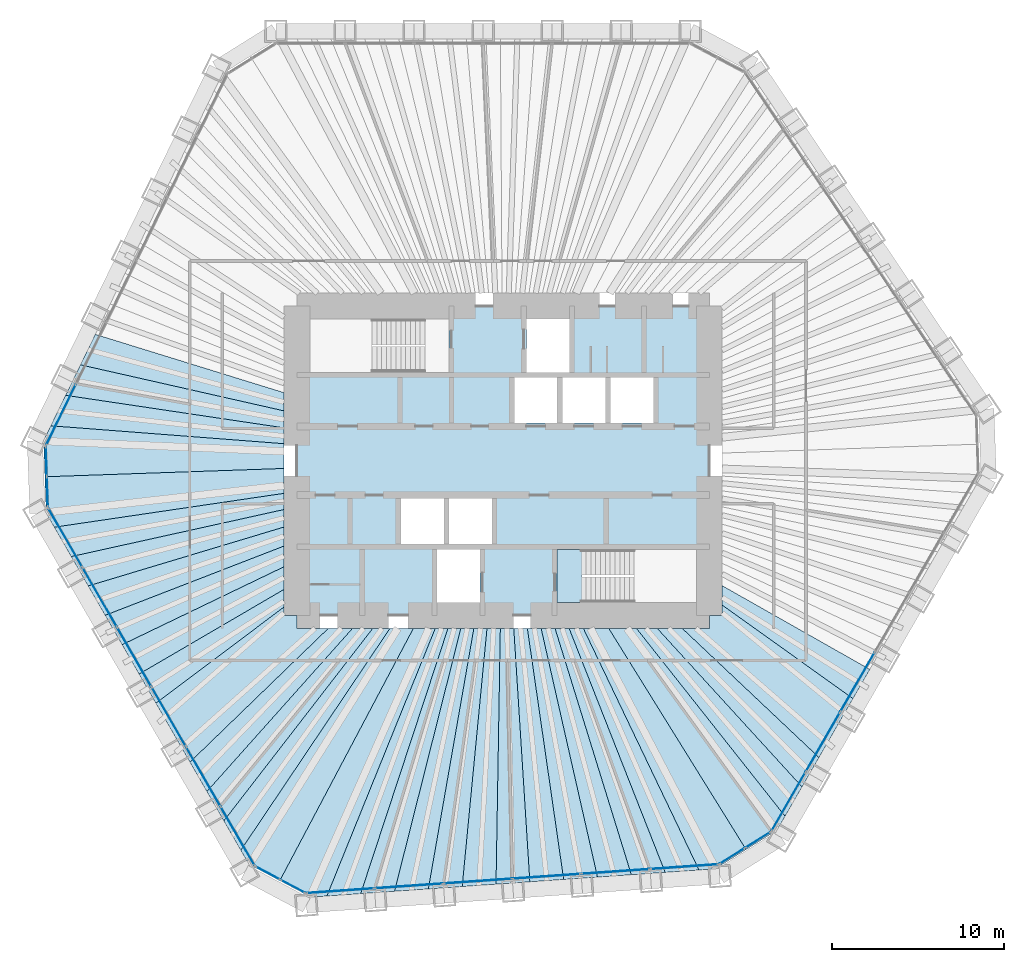
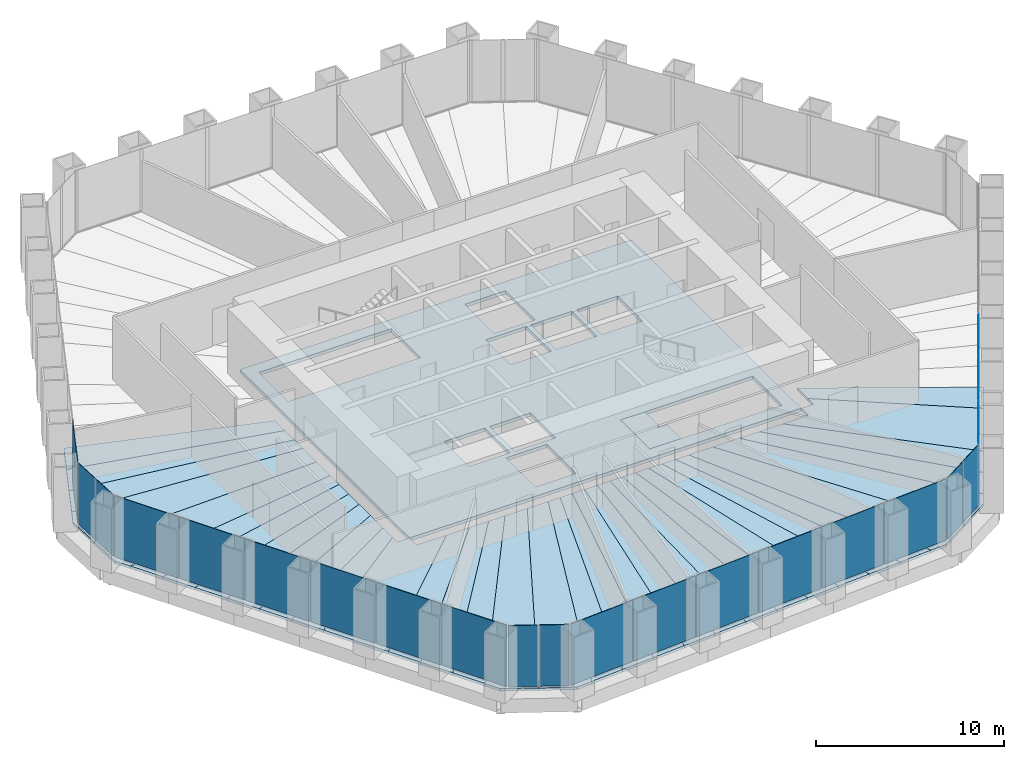
# One storey, part 8 of 13: 36 slabs, 22 plates, 8 elements without a shape of their own.
"""IFC4 building model written with IfcOpenShell, lengths in metres."""

from ifc_helpers import new_model, si_unit, direction, frame, origin, origin_2d, place, context, subcontext, project, spatial, polyline, rectangle, outline, extrude, material, layer, layer_set, type_object, element, aggregate, save


model = new_model("IFC4")

# Units and contexts
model_context = context("Model", 3, precision=1e-05, world=origin(), true_north=direction((0.0, 1.0)))
body_context = subcontext(model_context, "Body", "Model", "MODEL_VIEW")
ifc_project = project(units=[si_unit("LENGTHUNIT", "METRE"), si_unit("AREAUNIT", "SQUARE_METRE"), si_unit("VOLUMEUNIT", "CUBIC_METRE"), si_unit("PLANEANGLEUNIT", "RADIAN"), si_unit("MASSUNIT", "GRAM", prefix="KILO")], contexts=[model_context])

# Site, building, storey
site_placement = place(None, origin())
site = spatial("IfcSite", under=ifc_project, at=site_placement, CompositionType="ELEMENT")
building_placement = place(site_placement, origin())
building = spatial("IfcBuilding", under=site, at=building_placement, Name="Qingtian Harvest Tower", CompositionType="ELEMENT")
storey_placement = place(building_placement, frame((0.0, 0.0, 111.39990234375)))
storey = spatial("IfcBuildingStorey", under=building, at=storey_placement, Name="L22", CompositionType="ELEMENT", Elevation=111.39990234375)

# Slabs
ifc_material_1 = material(Name="Concrete fc' 35 MPa", Category="concrete")
ifc_layer_1 = layer(ifc_material_1, 0.169921875)
ifc_layer_set_1 = layer_set([ifc_layer_1], Name="Composite floor slab FS17 170")
slab_type_1 = type_object("IfcSlabType", Name="Composite floor slab FS17 170", PredefinedType="FLOOR", material=ifc_layer_set_1)
slab_1_placement = place(storey_placement, frame((0.0, 0.0, -0.169921875)))
element("IfcSlab", 1, at=slab_1_placement, inside=storey, type_object=slab_type_1, Name="Floor slab L22 panel D01", PredefinedType="FLOOR", context=body_context, shape_type="SweptSolid", body=[
    extrude(outline(polyline([(-26.667236328125, -0.931396484375), (-12.75, -0.447998046875), (-12.75, -1.89599609375), (-26.12109375, -3.866943359375), (-26.59326171875, -3.049072265625), (-26.667236328125, -0.931396484375)])), origin(), (0.0, 0.0, 1.0), 0.169921875),
])
slab_2_placement = place(storey_placement, frame((0.0, 0.0, -0.169921875)))
element("IfcSlab", 2, at=slab_2_placement, inside=storey, type_object=slab_type_1, Name="Floor slab L22 panel D02", PredefinedType="FLOOR", context=body_context, shape_type="SweptSolid", body=[
    extrude(outline(polyline([(-12.75, -2.838134765625), (-25.13427734375, -5.576416015625), (-26.12109375, -3.866943359375), (-12.75, -1.89599609375), (-12.75, -2.838134765625)])), origin(), (0.0, 0.0, 1.0), 0.169921875),
])
slab_3_placement = place(storey_placement, frame((0.0, 0.0, -0.169921875)))
element("IfcSlab", 3, at=slab_3_placement, inside=storey, type_object=slab_type_1, Name="Floor slab L22 panel D03", PredefinedType="FLOOR", context=body_context, shape_type="SweptSolid", body=[
    extrude(outline(polyline([(-12.75, -3.857666015625), (-24.147216796875, -7.28564453125), (-25.13427734375, -5.576416015625), (-12.75, -2.838134765625), (-12.75, -3.857666015625)])), origin(), (0.0, 0.0, 1.0), 0.169921875),
])
slab_4_placement = place(storey_placement, frame((0.0, 0.0, -0.169921875)))
element("IfcSlab", 4, at=slab_4_placement, inside=storey, type_object=slab_type_1, Name="Floor slab L22 panel D04", PredefinedType="FLOOR", context=body_context, shape_type="SweptSolid", body=[
    extrude(outline(polyline([(-12.75, -4.9638671875), (-23.160400390625, -8.9951171875), (-24.147216796875, -7.28564453125), (-12.75, -3.857666015625), (-12.75, -4.9638671875)])), origin(), (0.0, 0.0, 1.0), 0.169921875),
])
slab_5_placement = place(storey_placement, frame((0.0, 0.0, -0.169921875)))
element("IfcSlab", 5, at=slab_5_placement, inside=storey, type_object=slab_type_1, Name="Floor slab L22 panel D05", PredefinedType="FLOOR", context=body_context, shape_type="SweptSolid", body=[
    extrude(outline(polyline([(-12.75, -6.1689453125), (-22.17333984375, -10.70458984375), (-23.160400390625, -8.9951171875), (-12.75, -4.9638671875), (-12.75, -6.1689453125)])), origin(), (0.0, 0.0, 1.0), 0.169921875),
])
slab_6_placement = place(storey_placement, frame((0.0, 0.0, -0.169921875)))
element("IfcSlab", 6, at=slab_6_placement, inside=storey, type_object=slab_type_1, Name="Floor slab L22 panel D06", PredefinedType="FLOOR", context=body_context, shape_type="SweptSolid", body=[
    extrude(outline(polyline([(-12.75, -7.486328125), (-21.1865234375, -12.413818359375), (-22.17333984375, -10.70458984375), (-12.75, -6.1689453125), (-12.75, -7.486328125)])), origin(), (0.0, 0.0, 1.0), 0.169921875),
])
slab_7_placement = place(storey_placement, frame((0.0, 0.0, -0.169921875)))
element("IfcSlab", 7, at=slab_7_placement, inside=storey, type_object=slab_type_1, Name="Floor slab L22 panel D07", PredefinedType="FLOOR", context=body_context, shape_type="SweptSolid", body=[
    extrude(outline(polyline([(-12.75, -8.512451171875), (-20.20751953125, -14.109619140625), (-21.1865234375, -12.413818359375), (-12.75, -7.486328125), (-12.75, -8.512451171875)])), origin(), (0.0, 0.0, 1.0), 0.169921875),
])
slab_8_placement = place(storey_placement, frame((0.0, 0.0, -0.169921875)))
element("IfcSlab", 8, at=slab_8_placement, inside=storey, type_object=slab_type_1, Name="Floor slab L22 panel D09", PredefinedType="FLOOR", context=body_context, shape_type="SweptSolid", body=[
    extrude(outline(polyline([(-18.2265625, -17.54052734375), (-20.20751953125, -14.109619140625), (-12.75, -8.512451171875), (-12.75, -9.0), (-12.0, -9.0), (-12.0, -9.75), (-10.168212890625, -9.75), (-18.2265625, -17.54052734375)])), origin(), (0.0, 0.0, 1.0), 0.169921875),
])
slab_9_placement = place(storey_placement, frame((0.0, 0.0, -0.169921875)))
element("IfcSlab", 9, at=slab_9_placement, inside=storey, type_object=slab_type_1, Name="Floor slab L22 panel D10", PredefinedType="FLOOR", context=body_context, shape_type="SweptSolid", body=[
    extrude(outline(polyline([(-8.759521484375, -9.75), (-17.23974609375, -19.25), (-18.2265625, -17.54052734375), (-10.168212890625, -9.75), (-8.759521484375, -9.75)])), origin(), (0.0, 0.0, 1.0), 0.169921875),
])
slab_10_placement = place(storey_placement, frame((0.0, 0.0, -0.169921875)))
element("IfcSlab", 10, at=slab_10_placement, inside=storey, type_object=slab_type_1, Name="Floor slab L22 panel D11", PredefinedType="FLOOR", context=body_context, shape_type="SweptSolid", body=[
    extrude(outline(polyline([(-7.58203125, -9.75), (-16.252685546875, -20.95947265625), (-17.23974609375, -19.25), (-8.759521484375, -9.75), (-7.58203125, -9.75)])), origin(), (0.0, 0.0, 1.0), 0.169921875),
])
slab_11_placement = place(storey_placement, frame((0.0, 0.0, -0.169921875)))
element("IfcSlab", 11, at=slab_11_placement, inside=storey, type_object=slab_type_1, Name="Floor slab L22 panel D12", PredefinedType="FLOOR", context=body_context, shape_type="SweptSolid", body=[
    extrude(outline(polyline([(-6.5830078125, -9.75), (-15.265869140625, -22.6689453125), (-16.252685546875, -20.95947265625), (-7.58203125, -9.75), (-6.5830078125, -9.75)])), origin(), (0.0, 0.0, 1.0), 0.169921875),
])
slab_12_placement = place(storey_placement, frame((0.0, 0.0, -0.169921875)))
element("IfcSlab", 12, at=slab_12_placement, inside=storey, type_object=slab_type_1, Name="Floor slab L22 panel D13", PredefinedType="FLOOR", context=body_context, shape_type="SweptSolid", body=[
    extrude(outline(polyline([(-6.5830078125, -9.75), (-5.21875, -9.75), (-12.9970703125, -24.442138671875), (-14.79345703125, -23.487060546875), (-15.265869140625, -22.6689453125), (-6.5830078125, -9.75)])), origin(), (0.0, 0.0, 1.0), 0.169921875),
])
slab_13_placement = place(storey_placement, frame((0.0, 0.0, -0.169921875)))
element("IfcSlab", 13, at=slab_13_placement, inside=storey, type_object=slab_type_1, Name="Floor slab L22 panel D14", PredefinedType="FLOOR", context=body_context, shape_type="SweptSolid", body=[
    extrude(outline(polyline([(-5.21875, -9.75), (-3.947021484375, -9.75), (-10.25732421875, -25.332275390625), (-11.19921875, -25.398193359375), (-12.9970703125, -24.442138671875), (-5.21875, -9.75)])), origin(), (0.0, 0.0, 1.0), 0.169921875),
])
slab_14_placement = place(storey_placement, frame((0.0, 0.0, -0.169921875)))
element("IfcSlab", 14, at=slab_14_placement, inside=storey, type_object=slab_type_1, Name="Floor slab L22 panel D15", PredefinedType="FLOOR", context=body_context, shape_type="SweptSolid", body=[
    extrude(outline(polyline([(-3.20654296875, -9.75), (-8.288330078125, -25.194580078125), (-10.25732421875, -25.332275390625), (-3.947021484375, -9.75), (-3.20654296875, -9.75)])), origin(), (0.0, 0.0, 1.0), 0.169921875),
])
slab_15_placement = place(storey_placement, frame((0.0, 0.0, -0.169921875)))
element("IfcSlab", 15, at=slab_15_placement, inside=storey, type_object=slab_type_1, Name="Floor slab L22 panel D16", PredefinedType="FLOOR", context=body_context, shape_type="SweptSolid", body=[
    extrude(outline(polyline([(-2.4580078125, -9.75), (-6.3193359375, -25.056884765625), (-8.288330078125, -25.194580078125), (-3.20654296875, -9.75), (-2.4580078125, -9.75)])), origin(), (0.0, 0.0, 1.0), 0.169921875),
])
slab_16_placement = place(storey_placement, frame((0.0, 0.0, -0.169921875)))
element("IfcSlab", 16, at=slab_16_placement, inside=storey, type_object=slab_type_1, Name="Floor slab L22 panel D17", PredefinedType="FLOOR", context=body_context, shape_type="SweptSolid", body=[
    extrude(outline(polyline([(-1.701171875, -9.75), (-4.3505859375, -24.919189453125), (-6.3193359375, -25.056884765625), (-2.4580078125, -9.75), (-1.701171875, -9.75)])), origin(), (0.0, 0.0, 1.0), 0.169921875),
])
slab_17_placement = place(storey_placement, frame((0.0, 0.0, -0.169921875)))
element("IfcSlab", 17, at=slab_17_placement, inside=storey, type_object=slab_type_1, Name="Floor slab L22 panel D18", PredefinedType="FLOOR", context=body_context, shape_type="SweptSolid", body=[
    extrude(outline(polyline([(-0.93603515625, -9.75), (-2.381591796875, -24.781494140625), (-4.3505859375, -24.919189453125), (-1.701171875, -9.75), (-0.93603515625, -9.75)])), origin(), (0.0, 0.0, 1.0), 0.169921875),
])
slab_18_placement = place(storey_placement, frame((0.0, 0.0, -0.169921875)))
element("IfcSlab", 18, at=slab_18_placement, inside=storey, type_object=slab_type_1, Name="Floor slab L22 panel D19", PredefinedType="FLOOR", context=body_context, shape_type="SweptSolid", body=[
    extrude(outline(polyline([(-0.162109375, -9.75), (-0.41259765625, -24.643798828125), (-2.381591796875, -24.781494140625), (-0.93603515625, -9.75), (-0.162109375, -9.75)])), origin(), (0.0, 0.0, 1.0), 0.169921875),
])
slab_19_placement = place(storey_placement, frame((0.0, 0.0, -0.169921875)))
element("IfcSlab", 19, at=slab_19_placement, inside=storey, type_object=slab_type_1, Name="Floor slab L22 panel D20", PredefinedType="FLOOR", context=body_context, shape_type="SweptSolid", body=[
    extrude(outline(polyline([(0.620361328125, -9.75), (1.556396484375, -24.506103515625), (-0.41259765625, -24.643798828125), (-0.162109375, -9.75), (0.620361328125, -9.75)])), origin(), (0.0, 0.0, 1.0), 0.169921875),
])
slab_20_placement = place(storey_placement, frame((0.0, 0.0, -0.169921875)))
element("IfcSlab", 20, at=slab_20_placement, inside=storey, type_object=slab_type_1, Name="Floor slab L22 panel D21", PredefinedType="FLOOR", context=body_context, shape_type="SweptSolid", body=[
    extrude(outline(polyline([(1.41162109375, -9.75), (3.525390625, -24.368408203125), (1.556396484375, -24.506103515625), (0.620361328125, -9.75), (1.41162109375, -9.75)])), origin(), (0.0, 0.0, 1.0), 0.169921875),
])
slab_21_placement = place(storey_placement, frame((0.0, 0.0, -0.169921875)))
element("IfcSlab", 21, at=slab_21_placement, inside=storey, type_object=slab_type_1, Name="Floor slab L22 panel D22", PredefinedType="FLOOR", context=body_context, shape_type="SweptSolid", body=[
    extrude(outline(polyline([(2.2119140625, -9.75), (5.494384765625, -24.230712890625), (3.525390625, -24.368408203125), (1.41162109375, -9.75), (2.2119140625, -9.75)])), origin(), (0.0, 0.0, 1.0), 0.169921875),
])
slab_22_placement = place(storey_placement, frame((0.0, 0.0, -0.169921875)))
element("IfcSlab", 22, at=slab_22_placement, inside=storey, type_object=slab_type_1, Name="Floor slab L22 panel D23", PredefinedType="FLOOR", context=body_context, shape_type="SweptSolid", body=[
    extrude(outline(polyline([(3.021484375, -9.75), (7.46337890625, -24.093017578125), (5.494384765625, -24.230712890625), (2.2119140625, -9.75), (3.021484375, -9.75)])), origin(), (0.0, 0.0, 1.0), 0.169921875),
])
slab_23_placement = place(storey_placement, frame((0.0, 0.0, -0.169921875)))
element("IfcSlab", 23, at=slab_23_placement, inside=storey, type_object=slab_type_1, Name="Floor slab L22 panel D24", PredefinedType="FLOOR", context=body_context, shape_type="SweptSolid", body=[
    extrude(outline(polyline([(3.840087890625, -9.75), (9.43212890625, -23.955322265625), (7.46337890625, -24.093017578125), (3.021484375, -9.75), (3.840087890625, -9.75)])), origin(), (0.0, 0.0, 1.0), 0.169921875),
])
slab_24_placement = place(storey_placement, frame((0.0, 0.0, -0.169921875)))
element("IfcSlab", 24, at=slab_24_placement, inside=storey, type_object=slab_type_1, Name="Floor slab L22 panel D25", PredefinedType="FLOOR", context=body_context, shape_type="SweptSolid", body=[
    extrude(outline(polyline([(4.66845703125, -9.75), (11.401123046875, -23.817626953125), (9.43212890625, -23.955322265625), (3.840087890625, -9.75), (4.66845703125, -9.75)])), origin(), (0.0, 0.0, 1.0), 0.169921875),
])
slab_25_placement = place(storey_placement, frame((0.0, 0.0, -0.169921875)))
element("IfcSlab", 25, at=slab_25_placement, inside=storey, type_object=slab_type_1, Name="Floor slab L22 panel D26", PredefinedType="FLOOR", context=body_context, shape_type="SweptSolid", body=[
    extrude(outline(polyline([(4.66845703125, -9.75), (6.14404296875, -9.75), (14.141357421875, -22.628173828125), (12.343017578125, -23.751953125), (11.401123046875, -23.817626953125), (4.66845703125, -9.75)])), origin(), (0.0, 0.0, 1.0), 0.169921875),
])
slab_26_placement = place(storey_placement, frame((0.0, 0.0, -0.169921875)))
element("IfcSlab", 26, at=slab_26_placement, inside=storey, type_object=slab_type_1, Name="Floor slab L22 panel D27", PredefinedType="FLOOR", context=body_context, shape_type="SweptSolid", body=[
    extrude(outline(polyline([(6.14404296875, -9.75), (7.756103515625, -9.75), (16.40966796875, -20.687744140625), (15.937255859375, -21.505859375), (14.141357421875, -22.628173828125), (6.14404296875, -9.75)])), origin(), (0.0, 0.0, 1.0), 0.169921875),
])
slab_27_placement = place(storey_placement, frame((0.0, 0.0, -0.169921875)))
element("IfcSlab", 27, at=slab_27_placement, inside=storey, type_object=slab_type_1, Name="Floor slab L22 panel D28", PredefinedType="FLOOR", context=body_context, shape_type="SweptSolid", body=[
    extrude(outline(polyline([(8.966552734375, -9.75), (17.396484375, -18.978271484375), (16.40966796875, -20.687744140625), (7.756103515625, -9.75), (8.966552734375, -9.75)])), origin(), (0.0, 0.0, 1.0), 0.169921875),
])
slab_28_placement = place(storey_placement, frame((0.0, 0.0, -0.169921875)))
element("IfcSlab", 28, at=slab_28_placement, inside=storey, type_object=slab_type_1, Name="Floor slab L22 panel D29", PredefinedType="FLOOR", context=body_context, shape_type="SweptSolid", body=[
    extrude(outline(polyline([(10.41796875, -9.75), (18.383544921875, -17.2685546875), (17.396484375, -18.978271484375), (8.966552734375, -9.75), (10.41796875, -9.75)])), origin(), (0.0, 0.0, 1.0), 0.169921875),
])
slab_29_placement = place(storey_placement, frame((0.0, 0.0, -0.169921875)))
element("IfcSlab", 29, at=slab_29_placement, inside=storey, type_object=slab_type_1, Name="Floor slab L22 panel D31", PredefinedType="FLOOR", context=body_context, shape_type="SweptSolid", body=[
    extrude(outline(polyline([(12.75, -8.398681640625), (20.362060546875, -13.841796875), (18.383544921875, -17.2685546875), (10.41796875, -9.75), (12.0, -9.75), (12.0, -9.0), (12.75, -9.0), (12.75, -8.398681640625)])), origin(), (0.0, 0.0, 1.0), 0.169921875),
])
slab_30_placement = place(storey_placement, frame((0.0, 0.0, -0.169921875)))
element("IfcSlab", 30, at=slab_30_placement, inside=storey, type_object=slab_type_1, Name="Floor slab L22 panel D32", PredefinedType="FLOOR", context=body_context, shape_type="SweptSolid", body=[
    extrude(outline(polyline([(12.75, -7.268798828125), (21.343505859375, -12.14208984375), (20.362060546875, -13.841796875), (12.75, -8.398681640625), (12.75, -7.268798828125)])), origin(), (0.0, 0.0, 1.0), 0.169921875),
])
slab_31_placement = place(storey_placement, frame((0.0, 0.0, -0.169921875)))
element("IfcSlab", 31, at=slab_31_placement, inside=storey, type_object=slab_type_1, Name="Floor slab L22 panel D75", PredefinedType="FLOOR", context=body_context, shape_type="SweptSolid", body=[
    extrude(outline(polyline([(-12.75, 2.903076171875), (-24.5966796875, 5.58349609375), (-23.7314453125, 7.357421875), (-12.75, 3.962646484375), (-12.75, 2.903076171875)])), origin(), (0.0, 0.0, 1.0), 0.169921875),
])
slab_32_placement = place(storey_placement, frame((0.0, 0.0, -0.169921875)))
element("IfcSlab", 32, at=slab_32_placement, inside=storey, type_object=slab_type_1, Name="Floor slab L22 panel D76", PredefinedType="FLOOR", context=body_context, shape_type="SweptSolid", body=[
    extrude(outline(polyline([(-12.75, 1.91552734375), (-25.4619140625, 3.809326171875), (-24.5966796875, 5.58349609375), (-12.75, 2.903076171875), (-12.75, 1.91552734375)])), origin(), (0.0, 0.0, 1.0), 0.169921875),
])
slab_33_placement = place(storey_placement, frame((0.0, 0.0, -0.169921875)))
element("IfcSlab", 33, at=slab_33_placement, inside=storey, type_object=slab_type_1, Name="Floor slab L22 panel D77", PredefinedType="FLOOR", context=body_context, shape_type="SweptSolid", body=[
    extrude(outline(polyline([(-12.75, 0.992919921875), (-26.3271484375, 2.035400390625), (-25.4619140625, 3.809326171875), (-12.75, 1.91552734375), (-12.75, 0.992919921875)])), origin(), (0.0, 0.0, 1.0), 0.169921875),
])
slab_34_placement = place(storey_placement, frame((0.0, 0.0, -0.169921875)))
element("IfcSlab", 34, at=slab_34_placement, inside=storey, type_object=slab_type_1, Name="Floor slab L22 panel D78", PredefinedType="FLOOR", context=body_context, shape_type="SweptSolid", body=[
    extrude(outline(polyline([(-12.75, 0.992919921875), (-12.75, -0.447998046875), (-26.667236328125, -0.931396484375), (-26.7412109375, 1.1865234375), (-26.3271484375, 2.035400390625), (-12.75, 0.992919921875)])), origin(), (0.0, 0.0, 1.0), 0.169921875),
])
ifc_material_2 = material(Name="Concrete fc' 35 MPa", Category="concrete")
ifc_layer_2 = layer(ifc_material_2, 0.219970703125)
ifc_layer_set_2 = layer_set([ifc_layer_2], Name="Core floor slab CS22 220")
slab_type_2 = type_object("IfcSlabType", Name="Core floor slab CS22 220", PredefinedType="FLOOR", material=ifc_layer_set_2)
slab_35_placement = place(storey_placement, frame((0.0, 0.0, -0.219970703125)))
element("IfcSlab", 35, at=slab_35_placement, inside=storey, type_object=slab_type_2, Name="Core floor slab L22", PredefinedType="FLOOR", context=body_context, shape_type="SweptSolid", body=[
    extrude(outline(polyline([(-12.0, -9.0), (12.0, -9.0), (12.0, 9.0), (-12.0, 9.0), (-12.0, -9.0)]), holes=[polyline([(-11.25, 5.14990234375), (-3.14990234375, 5.14990234375), (-3.14990234375, 8.25), (-11.25, 8.25), (-11.25, 5.14990234375)]), polyline([(3.14990234375, -8.25), (11.25, -8.25), (11.25, -5.14990234375), (3.14990234375, -5.14990234375), (3.14990234375, -8.25)]), polyline([(1.35009765625, 5.14990234375), (3.85009765625, 5.14990234375), (3.85009765625, 8.25), (1.35009765625, 8.25), (1.35009765625, 5.14990234375)]), polyline([(-3.85009765625, -8.25), (-1.35009765625, -8.25), (-1.35009765625, -5.14990234375), (-3.85009765625, -5.14990234375), (-3.85009765625, -8.25)]), polyline([(0.64990234375, 2.199951171875), (3.14990234375, 2.199951171875), (3.14990234375, 4.85009765625), (0.64990234375, 4.85009765625), (0.64990234375, 2.199951171875)]), polyline([(3.449951171875, 2.199951171875), (5.949951171875, 2.199951171875), (5.949951171875, 4.85009765625), (3.449951171875, 4.85009765625), (3.449951171875, 2.199951171875)]), polyline([(6.25, 2.199951171875), (8.75, 2.199951171875), (8.75, 4.85009765625), (6.25, 4.85009765625), (6.25, 2.199951171875)]), polyline([(-5.949951171875, -4.85009765625), (-3.449951171875, -4.85009765625), (-3.449951171875, -2.199951171875), (-5.949951171875, -2.199951171875), (-5.949951171875, -4.85009765625)]), polyline([(-3.14990234375, -4.85009765625), (-0.64990234375, -4.85009765625), (-0.64990234375, -2.199951171875), (-3.14990234375, -2.199951171875), (-3.14990234375, -4.85009765625)])]), origin(), (0.0, 0.0, 1.0), 0.219970703125),
])

# Curtain wall, plates
ifc_material_3 = material(Name="Bronze-anodised aluminium curtain wall", Category="aluminium")
curtain_wall_type = type_object("IfcCurtainWallType", Name="Curtain wall CW4 office", PredefinedType="USERDEFINED", material=ifc_material_3)
curtain_wall_1_placement = place(storey_placement, origin())
curtain_wall_1 = element("IfcCurtainWall", 36, at=curtain_wall_1_placement, inside=storey, type_object=curtain_wall_type, Name="Curtain wall CW4 L22 SE0-5", ObjectType="RECESSED CURTAIN WALL", PredefinedType="USERDEFINED")
ifc_material_4 = material(Name="Bronze-tinted laminated insulating glass", Category="glass")
ifc_layer_3 = layer(ifc_material_4, 0.030029296875)
ifc_layer_set_3 = layer_set([ifc_layer_3], Name="Glazed panel CWP tinted IGU")
plate_type = type_object("IfcPlateType", Name="Glazed panel CWP tinted IGU", PredefinedType="CURTAIN_PANEL", material=ifc_layer_set_3)
plate_1_placement = place(storey_placement, frame((20.621826171875, -12.8818359375, 0.06494140625), z_axis=(0.0, 0.0, 1.0), x_axis=(-0.5, -0.866025403784, 0.0)))
plate_1 = element("IfcPlate", 37, at=plate_1_placement, type_object=plate_type, Name="CW4 panel 4.1", PredefinedType="CURTAIN_PANEL", context=body_context, shape_type="SweptSolid", body=[
    extrude(rectangle(XDim=3.9541015625, YDim=0.030029296875, at=origin_2d()), origin(), (0.0, 0.0, 1.0), 3.965087890625),
])
plate_2_placement = place(storey_placement, frame((18.6123046875, -16.362548828125, 0.06494140625), z_axis=(0.0, 0.0, 1.0), x_axis=(-0.5, -0.866025403784, 0.0)))
plate_2 = element("IfcPlate", 38, at=plate_2_placement, type_object=plate_type, Name="CW4 panel 5.1", PredefinedType="CURTAIN_PANEL", context=body_context, shape_type="SweptSolid", body=[
    extrude(rectangle(XDim=3.9541015625, YDim=0.030029296875, at=origin_2d()), origin(), (0.0, 0.0, 1.0), 3.965087890625),
])
plate_3_placement = place(storey_placement, frame((16.61083984375, -19.8291015625, 0.06494140625), z_axis=(0.0, 0.0, 1.0), x_axis=(-0.5, -0.866025403784, 0.0)))
plate_3 = element("IfcPlate", 39, at=plate_3_placement, type_object=plate_type, Name="CW4 panel 6.1", PredefinedType="CURTAIN_PANEL", context=body_context, shape_type="SweptSolid", body=[
    extrude(rectangle(XDim=3.921630859375, YDim=0.030029296875, at=origin_2d()), origin(), (0.0, 0.0, 1.0), 3.965087890625),
])
aggregate(curtain_wall_1, [plate_1, plate_2, plate_3])

curtain_wall_2_placement = place(storey_placement, origin())
curtain_wall_2 = element("IfcCurtainWall", 40, at=curtain_wall_2_placement, inside=storey, type_object=curtain_wall_type, Name="Curtain wall CW4 L22 SEC", ObjectType="RECESSED CURTAIN WALL", PredefinedType="USERDEFINED")
plate_4_placement = place(storey_placement, frame((14.8251953125, -22.06640625, 0.06494140625), z_axis=(0.0, 0.0, 1.0), x_axis=(-0.848048096156, -0.529919264233, 0.0)))
plate_4 = element("IfcPlate", 41, at=plate_4_placement, type_object=plate_type, Name="CW4 panel 1.1", PredefinedType="CURTAIN_PANEL", context=body_context, shape_type="SweptSolid", body=[
    extrude(rectangle(XDim=1.69287109375, YDim=0.030029296875, at=origin_2d()), origin(), (0.0, 0.0, 1.0), 3.965087890625),
])
plate_5_placement = place(storey_placement, frame((13.334228515625, -22.998046875, 0.06494140625), z_axis=(0.0, 0.0, 1.0), x_axis=(-0.848048096156, -0.529919264233, 0.0)))
plate_5 = element("IfcPlate", 42, at=plate_5_placement, type_object=plate_type, Name="CW4 panel 2.1", PredefinedType="CURTAIN_PANEL", context=body_context, shape_type="SweptSolid", body=[
    extrude(rectangle(XDim=1.69287109375, YDim=0.030029296875, at=origin_2d()), origin(), (0.0, 0.0, 1.0), 3.965087890625),
])
aggregate(curtain_wall_2, [plate_4, plate_5])

curtain_wall_3_placement = place(storey_placement, origin())
curtain_wall_3 = element("IfcCurtainWall", 43, at=curtain_wall_3_placement, inside=storey, type_object=curtain_wall_type, Name="Curtain wall CW4 L22 S0-5", ObjectType="RECESSED CURTAIN WALL", PredefinedType="USERDEFINED")
plate_6_placement = place(storey_placement, frame((10.54052734375, -23.622314453125, 0.06494140625), z_axis=(0.0, 0.0, 1.0), x_axis=(-0.99756405026, -0.069756473744, 0.0)))
plate_6 = element("IfcPlate", 44, at=plate_6_placement, type_object=plate_type, Name="CW4 panel 1.1", PredefinedType="CURTAIN_PANEL", context=body_context, shape_type="SweptSolid", body=[
    extrude(rectangle(XDim=3.921630859375, YDim=0.030029296875, at=origin_2d()), origin(), (0.0, 0.0, 1.0), 3.965087890625),
])
plate_7_placement = place(storey_placement, frame((6.54736328125, -23.901611328125, 0.06494140625), z_axis=(0.0, 0.0, 1.0), x_axis=(-0.99756405026, -0.069756473744, 0.0)))
plate_7 = element("IfcPlate", 45, at=plate_7_placement, type_object=plate_type, Name="CW4 panel 2.1", PredefinedType="CURTAIN_PANEL", context=body_context, shape_type="SweptSolid", body=[
    extrude(rectangle(XDim=3.9541015625, YDim=0.030029296875, at=origin_2d()), origin(), (0.0, 0.0, 1.0), 3.965087890625),
])
plate_8_placement = place(storey_placement, frame((2.5380859375, -24.181884765625, 0.06494140625), z_axis=(0.0, 0.0, 1.0), x_axis=(-0.99756405026, -0.069756473744, 0.0)))
plate_8 = element("IfcPlate", 46, at=plate_8_placement, type_object=plate_type, Name="CW4 panel 3.1", PredefinedType="CURTAIN_PANEL", context=body_context, shape_type="SweptSolid", body=[
    extrude(rectangle(XDim=3.9541015625, YDim=0.030029296875, at=origin_2d()), origin(), (0.0, 0.0, 1.0), 3.965087890625),
])
plate_9_placement = place(storey_placement, frame((-1.47119140625, -24.462158203125, 0.06494140625), z_axis=(0.0, 0.0, 1.0), x_axis=(-0.99756405026, -0.069756473744, 0.0)))
plate_9 = element("IfcPlate", 47, at=plate_9_placement, type_object=plate_type, Name="CW4 panel 4.1", PredefinedType="CURTAIN_PANEL", context=body_context, shape_type="SweptSolid", body=[
    extrude(rectangle(XDim=3.9541015625, YDim=0.030029296875, at=origin_2d()), origin(), (0.0, 0.0, 1.0), 3.965087890625),
])
plate_10_placement = place(storey_placement, frame((-5.48046875, -24.74267578125, 0.06494140625), z_axis=(0.0, 0.0, 1.0), x_axis=(-0.99756405026, -0.069756473744, 0.0)))
plate_10 = element("IfcPlate", 48, at=plate_10_placement, type_object=plate_type, Name="CW4 panel 5.1", PredefinedType="CURTAIN_PANEL", context=body_context, shape_type="SweptSolid", body=[
    extrude(rectangle(XDim=3.9541015625, YDim=0.030029296875, at=origin_2d()), origin(), (0.0, 0.0, 1.0), 3.965087890625),
])
plate_11_placement = place(storey_placement, frame((-9.4736328125, -25.021728515625, 0.06494140625), z_axis=(0.0, 0.0, 1.0), x_axis=(-0.99756405026, -0.069756473744, 0.0)))
plate_11 = element("IfcPlate", 49, at=plate_11_placement, type_object=plate_type, Name="CW4 panel 6.1", PredefinedType="CURTAIN_PANEL", context=body_context, shape_type="SweptSolid", body=[
    extrude(rectangle(XDim=3.921630859375, YDim=0.030029296875, at=origin_2d()), origin(), (0.0, 0.0, 1.0), 3.965087890625),
])
aggregate(curtain_wall_3, [plate_6, plate_7, plate_8, plate_9, plate_10, plate_11])

curtain_wall_4_placement = place(storey_placement, origin())
curtain_wall_4 = element("IfcCurtainWall", 50, at=curtain_wall_4_placement, inside=storey, type_object=curtain_wall_type, Name="Curtain wall CW4 L22 SC", ObjectType="RECESSED CURTAIN WALL", PredefinedType="USERDEFINED")
plate_12_placement = place(storey_placement, frame((-12.24365234375, -24.764892578125, 0.06494140625), z_axis=(0.0, 0.0, 1.0), x_axis=(-0.882947592859, 0.469471562786, 0.0)))
plate_12 = element("IfcPlate", 51, at=plate_12_placement, type_object=plate_type, Name="CW4 panel 1.1", PredefinedType="CURTAIN_PANEL", context=body_context, shape_type="SweptSolid", body=[
    extrude(rectangle(XDim=1.56689453125, YDim=0.030029296875, at=origin_2d()), origin(), (0.0, 0.0, 1.0), 3.965087890625),
])
plate_13_placement = place(storey_placement, frame((-13.684326171875, -23.998779296875, 0.06494140625), z_axis=(0.0, 0.0, 1.0), x_axis=(-0.882947592859, 0.469471562786, 0.0)))
plate_13 = element("IfcPlate", 52, at=plate_13_placement, type_object=plate_type, Name="CW4 panel 2.1", PredefinedType="CURTAIN_PANEL", context=body_context, shape_type="SweptSolid", body=[
    extrude(rectangle(XDim=1.56689453125, YDim=0.030029296875, at=origin_2d()), origin(), (0.0, 0.0, 1.0), 3.965087890625),
])
aggregate(curtain_wall_4, [plate_12, plate_13])

curtain_wall_5_placement = place(storey_placement, origin())
curtain_wall_5 = element("IfcCurtainWall", 53, at=curtain_wall_5_placement, inside=storey, type_object=curtain_wall_type, Name="Curtain wall CW4 L22 SW0-5", ObjectType="RECESSED CURTAIN WALL", PredefinedType="USERDEFINED")
plate_14_placement = place(storey_placement, frame((-15.446533203125, -21.845947265625, 0.06494140625), z_axis=(0.0, 0.0, 1.0), x_axis=(-0.5, 0.866025403784, 0.0)))
plate_14 = element("IfcPlate", 54, at=plate_14_placement, type_object=plate_type, Name="CW4 panel 1.1", PredefinedType="CURTAIN_PANEL", context=body_context, shape_type="SweptSolid", body=[
    extrude(rectangle(XDim=3.921630859375, YDim=0.030029296875, at=origin_2d()), origin(), (0.0, 0.0, 1.0), 3.965087890625),
])
plate_15_placement = place(storey_placement, frame((-17.44775390625, -18.37939453125, 0.06494140625), z_axis=(0.0, 0.0, 1.0), x_axis=(-0.5, 0.866025403784, 0.0)))
plate_15 = element("IfcPlate", 55, at=plate_15_placement, type_object=plate_type, Name="CW4 panel 2.1", PredefinedType="CURTAIN_PANEL", context=body_context, shape_type="SweptSolid", body=[
    extrude(rectangle(XDim=3.9541015625, YDim=0.030029296875, at=origin_2d()), origin(), (0.0, 0.0, 1.0), 3.965087890625),
])
plate_16_placement = place(storey_placement, frame((-19.45751953125, -14.898681640625, 0.06494140625), z_axis=(0.0, 0.0, 1.0), x_axis=(-0.5, 0.866025403784, 0.0)))
plate_16 = element("IfcPlate", 56, at=plate_16_placement, type_object=plate_type, Name="CW4 panel 3.1", PredefinedType="CURTAIN_PANEL", context=body_context, shape_type="SweptSolid", body=[
    extrude(rectangle(XDim=3.9541015625, YDim=0.030029296875, at=origin_2d()), origin(), (0.0, 0.0, 1.0), 3.965087890625),
])
plate_17_placement = place(storey_placement, frame((-21.467041015625, -11.418212890625, 0.06494140625), z_axis=(0.0, 0.0, 1.0), x_axis=(-0.5, 0.866025403784, 0.0)))
plate_17 = element("IfcPlate", 57, at=plate_17_placement, type_object=plate_type, Name="CW4 panel 4.1", PredefinedType="CURTAIN_PANEL", context=body_context, shape_type="SweptSolid", body=[
    extrude(rectangle(XDim=3.9541015625, YDim=0.030029296875, at=origin_2d()), origin(), (0.0, 0.0, 1.0), 3.965087890625),
])
plate_18_placement = place(storey_placement, frame((-23.4765625, -7.9375, 0.06494140625), z_axis=(0.0, 0.0, 1.0), x_axis=(-0.5, 0.866025403784, 0.0)))
plate_18 = element("IfcPlate", 58, at=plate_18_placement, type_object=plate_type, Name="CW4 panel 5.1", PredefinedType="CURTAIN_PANEL", context=body_context, shape_type="SweptSolid", body=[
    extrude(rectangle(XDim=3.9541015625, YDim=0.030029296875, at=origin_2d()), origin(), (0.0, 0.0, 1.0), 3.965087890625),
])
plate_19_placement = place(storey_placement, frame((-25.477783203125, -4.470947265625, 0.06494140625), z_axis=(0.0, 0.0, 1.0), x_axis=(-0.5, 0.866025403784, 0.0)))
plate_19 = element("IfcPlate", 59, at=plate_19_placement, type_object=plate_type, Name="CW4 panel 6.1", PredefinedType="CURTAIN_PANEL", context=body_context, shape_type="SweptSolid", body=[
    extrude(rectangle(XDim=3.921630859375, YDim=0.030029296875, at=origin_2d()), origin(), (0.0, 0.0, 1.0), 3.965087890625),
])
aggregate(curtain_wall_5, [plate_14, plate_15, plate_16, plate_17, plate_18, plate_19])

curtain_wall_6_placement = place(storey_placement, origin())
curtain_wall_6 = element("IfcCurtainWall", 60, at=curtain_wall_6_placement, inside=storey, type_object=curtain_wall_type, Name="Curtain wall CW4 L22 SWC", ObjectType="RECESSED CURTAIN WALL", PredefinedType="USERDEFINED")
plate_20_placement = place(storey_placement, frame((-26.522705078125, -1.8056640625, 0.06494140625), z_axis=(0.0, 0.0, 1.0), x_axis=(-0.034899496703, 0.999390827019, 0.0)))
plate_20 = element("IfcPlate", 61, at=plate_20_placement, type_object=plate_type, Name="CW4 panel 1.1", PredefinedType="CURTAIN_PANEL", context=body_context, shape_type="SweptSolid", body=[
    extrude(rectangle(XDim=1.69287109375, YDim=0.030029296875, at=origin_2d()), origin(), (0.0, 0.0, 1.0), 3.965087890625),
])
plate_21_placement = place(storey_placement, frame((-26.583984375, -0.048828125, 0.06494140625), z_axis=(0.0, 0.0, 1.0), x_axis=(-0.034899496703, 0.999390827019, 0.0)))
plate_21 = element("IfcPlate", 62, at=plate_21_placement, type_object=plate_type, Name="CW4 panel 2.1", PredefinedType="CURTAIN_PANEL", context=body_context, shape_type="SweptSolid", body=[
    extrude(rectangle(XDim=1.69287109375, YDim=0.030029296875, at=origin_2d()), origin(), (0.0, 0.0, 1.0), 3.965087890625),
])
aggregate(curtain_wall_6, [plate_20, plate_21])

# Curtain wall, plate
curtain_wall_7_placement = place(storey_placement, origin())
curtain_wall_7 = element("IfcCurtainWall", 63, at=curtain_wall_7_placement, inside=storey, type_object=curtain_wall_type, Name="Curtain wall CW4 L22 NW0-5", ObjectType="RECESSED CURTAIN WALL", PredefinedType="USERDEFINED")
plate_22_placement = place(storey_placement, frame((-25.727783203125, 2.682861328125, 0.06494140625), z_axis=(0.0, 0.0, 1.0), x_axis=(0.438371146789, 0.898794046299, 0.0)))
plate_22 = element("IfcPlate", 64, at=plate_22_placement, type_object=plate_type, Name="CW4 panel 1.1", PredefinedType="CURTAIN_PANEL", context=body_context, shape_type="SweptSolid", body=[
    extrude(rectangle(XDim=3.921630859375, YDim=0.030029296875, at=origin_2d()), origin(), (0.0, 0.0, 1.0), 3.965087890625),
])
aggregate(curtain_wall_7, [plate_22])

# Stair, slab
ifc_material_5 = material(Name="Concrete fc' 35 MPa", Category="concrete")
stair_type = type_object("IfcStairType", Name="Special stair ST3 4200", PredefinedType="HALF_TURN_STAIR", material=ifc_material_5)
stair_placement = place(storey_placement, origin())
stair = element("IfcStair", 65, at=stair_placement, inside=storey, type_object=stair_type, Name="Special stair S2 L22", PredefinedType="HALF_TURN_STAIR")
ifc_material_6 = material(Name="Concrete fc' 35 MPa", Category="concrete")
ifc_layer_4 = layer(ifc_material_6, 0.199951171875)
ifc_layer_set_4 = layer_set([ifc_layer_4], Name="Stair landing SL2 200")
slab_type_3 = type_object("IfcSlabType", Name="Stair landing SL2 200", PredefinedType="LANDING", material=ifc_layer_set_4)
slab_36_placement = place(storey_placement, frame((0.0, 0.0, -0.199951171875)))
slab_36 = element("IfcSlab", 66, at=slab_36_placement, type_object=slab_type_3, Name="S2 landing 1", PredefinedType="LANDING", context=body_context, shape_type="SweptSolid", body=[
    extrude(outline(polyline([(5.0849609375, -8.25), (3.14990234375, -8.25), (3.14990234375, -5.14990234375), (4.64990234375, -5.14990234375), (4.64990234375, -6.64990234375), (4.550048828125, -6.64990234375), (4.550048828125, -6.75), (5.0849609375, -6.75), (5.0849609375, -8.25)])), origin(), (0.0, 0.0, 1.0), 0.199951171875),
])
aggregate(stair, [slab_36])

save(model, "model.ifc")
